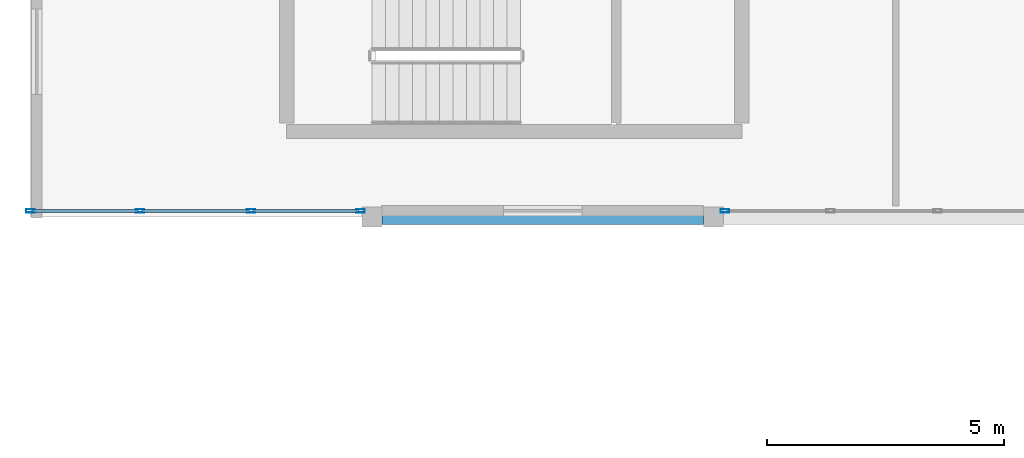
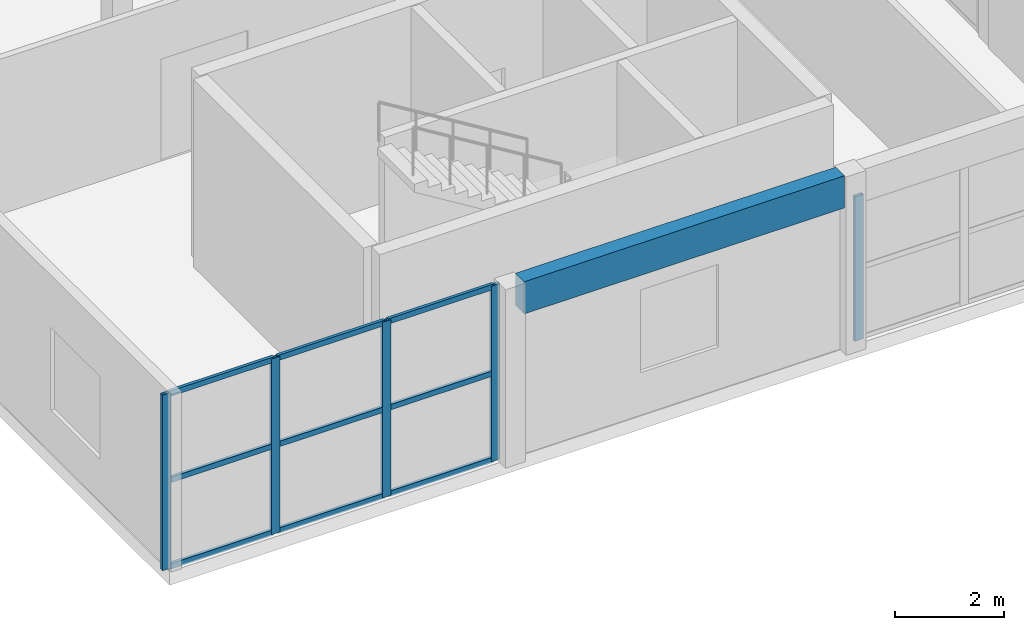
# One storey, part 6 of 68: 14 members, 1 beam, 2 elements without a shape of their own.
"""IFC4 building model written with IfcOpenShell, lengths in metres."""

from ifc_helpers import new_model, si_unit, direction, frame, origin, origin_2d, place, context, subcontext, project, spatial, rectangle, hollow_rectangle, extrude, material, material_profile, profile_set, type_object, element, aggregate, save


model = new_model("IFC4")

# Units and contexts
model_context = context("Model", 3, precision=1e-05, world=origin(), true_north=direction((0.0, 1.0)))
body_context = subcontext(model_context, "Body", "Model", "MODEL_VIEW")
ifc_project = project(units=[si_unit("LENGTHUNIT", "METRE"), si_unit("AREAUNIT", "SQUARE_METRE"), si_unit("VOLUMEUNIT", "CUBIC_METRE"), si_unit("PLANEANGLEUNIT", "RADIAN"), si_unit("MASSUNIT", "GRAM", prefix="KILO")], contexts=[model_context])

# Site, building, storey
site_placement = place(None, origin())
site = spatial("IfcSite", under=ifc_project, at=site_placement, CompositionType="ELEMENT")
building_placement = place(site_placement, origin())
building = spatial("IfcBuilding", under=site, at=building_placement, Name="Bramvelor Terrace Health Centre", CompositionType="ELEMENT")
storey_placement = place(building_placement, frame((0.0, 0.0, 9.300048828125)))
storey = spatial("IfcBuildingStorey", under=building, at=storey_placement, Name="L03", CompositionType="ELEMENT", Elevation=9.300048828125)

# Beam
ifc_material_1 = material(Name="Glulam GL28h", Category="wood")
ifc_material_profile_1 = material_profile(ifc_material_1, rectangle(XDim=0.320068359375, YDim=0.719970703125, at=origin_2d()), Name="GL 320x720")
ifc_profile_set_1 = profile_set([ifc_material_profile_1], Name="Glulam GL28h")
beam_type = type_object("IfcBeamType", Name="BM-GL-G720", PredefinedType="BEAM", material=ifc_profile_set_1)
beam_placement = place(storey_placement, frame((7.409912109375, 28.800048828125, 3.6298828125), z_axis=(1.0, 0.0, 0.0), x_axis=(0.0, 1.0, 0.0)))
element("IfcBeam", 1, at=beam_placement, inside=storey, type_object=beam_type, Name="L03 Floor Girder", PredefinedType="BEAM", context=body_context, shape_type="SweptSolid", body=[
    extrude(rectangle(XDim=0.320068359375, YDim=0.719970703125, at=origin_2d()), origin(), (0.0, 0.0, 1.0), 6.780029296875),
])

# Curtain wall, member
ifc_material_2 = material(Name="Anodized aluminium and double low-E glass", Category="aluminium")
curtain_wall_type_1 = type_object("IfcCurtainWallType", Name="CW-SYS-27", PredefinedType="NOTDEFINED", material=ifc_material_2)
curtain_wall_1_placement = place(storey_placement, origin())
curtain_wall_1 = element("IfcCurtainWall", 2, at=curtain_wall_1_placement, inside=storey, type_object=curtain_wall_type_1, Name="L03 Unitized Curtain Wall 156", PredefinedType="NOTDEFINED")
ifc_material_3 = material(Name="Anodized aluminium 6063-T6", Category="aluminium")
ifc_material_profile_2 = material_profile(ifc_material_3, hollow_rectangle(XDim=0.074951171875, YDim=0.179931640625, WallThickness=0.00341796875, at=origin_2d()), Name="ALU-MUL 75x180x3.5")
ifc_profile_set_2 = profile_set([ifc_material_profile_2], Name="Anodized aluminium 6063-T6")
member_type_1 = type_object("IfcMemberType", Name="CW-MUL-65x180", PredefinedType="MULLION", material=ifc_profile_set_2)
member_1_placement = place(storey_placement, frame((14.642578125, 28.929931640625, 0.0), z_axis=(0.0, 0.0, 1.0), x_axis=(0.0, -1.0, 0.0)))
member_1 = element("IfcMember", 3, at=member_1_placement, type_object=member_type_1, Name="CW-27 mullion 4", PredefinedType="MULLION", context=body_context, shape_type="SweptSolid", body=[
    extrude(hollow_rectangle(XDim=0.074951171875, YDim=0.179931640625, WallThickness=0.00341796875, at=origin_2d()), origin(), (0.0, 0.0, 1.0), 3.22998046875),
])
aggregate(curtain_wall_1, [member_1])

# Curtain wall, members
ifc_material_4 = material(Name="Anodized aluminium and double low-E glass", Category="aluminium")
curtain_wall_type_2 = type_object("IfcCurtainWallType", Name="CW-SYS-28", PredefinedType="NOTDEFINED", material=ifc_material_4)
curtain_wall_2_placement = place(storey_placement, origin())
curtain_wall_2 = element("IfcCurtainWall", 4, at=curtain_wall_2_placement, inside=storey, type_object=curtain_wall_type_2, Name="L03 Unitized Curtain Wall 157", PredefinedType="NOTDEFINED")
member_2_placement = place(storey_placement, frame((6.95751953125, 28.929931640625, 0.0), z_axis=(0.0, 0.0, 1.0), x_axis=(0.0, -1.0, 0.0)))
member_2 = element("IfcMember", 5, at=member_2_placement, type_object=member_type_1, Name="CW-28 mullion 1", PredefinedType="MULLION", context=body_context, shape_type="SweptSolid", body=[
    extrude(hollow_rectangle(XDim=0.074951171875, YDim=0.179931640625, WallThickness=0.00341796875, at=origin_2d()), origin(), (0.0, 0.0, 1.0), 3.929931640625),
])
member_3_placement = place(storey_placement, frame((4.64990234375, 28.929931640625, 0.0), z_axis=(0.0, 0.0, 1.0), x_axis=(0.0, -1.0, 0.0)))
member_3 = element("IfcMember", 6, at=member_3_placement, type_object=member_type_1, Name="CW-28 mullion 2", PredefinedType="MULLION", context=body_context, shape_type="SweptSolid", body=[
    extrude(hollow_rectangle(XDim=0.074951171875, YDim=0.179931640625, WallThickness=0.00341796875, at=origin_2d()), origin(), (0.0, 0.0, 1.0), 3.929931640625),
])
member_4_placement = place(storey_placement, frame((2.304931640625, 28.929931640625, 0.0), z_axis=(0.0, 0.0, 1.0), x_axis=(0.0, -1.0, 0.0)))
member_4 = element("IfcMember", 7, at=member_4_placement, type_object=member_type_1, Name="CW-28 mullion 3", PredefinedType="MULLION", context=body_context, shape_type="SweptSolid", body=[
    extrude(hollow_rectangle(XDim=0.074951171875, YDim=0.179931640625, WallThickness=0.00341796875, at=origin_2d()), origin(), (0.0, 0.0, 1.0), 3.929931640625),
])
member_5_placement = place(storey_placement, frame((-0.00244140625, 28.929931640625, 0.0), z_axis=(0.0, 0.0, 1.0), x_axis=(0.0, -1.0, 0.0)))
member_5 = element("IfcMember", 8, at=member_5_placement, type_object=member_type_1, Name="CW-28 mullion 4", PredefinedType="MULLION", context=body_context, shape_type="SweptSolid", body=[
    extrude(hollow_rectangle(XDim=0.074951171875, YDim=0.179931640625, WallThickness=0.00341796875, at=origin_2d()), origin(), (0.0, 0.0, 1.0), 3.929931640625),
])
ifc_material_5 = material(Name="Anodized aluminium 6063-T6", Category="aluminium")
ifc_material_profile_3 = material_profile(ifc_material_5, hollow_rectangle(XDim=0.06494140625, YDim=0.1201171875, WallThickness=0.0029296875, at=origin_2d()), Name="ALU-TRN 65x120x3.0")
ifc_profile_set_3 = profile_set([ifc_material_profile_3], Name="Anodized aluminium 6063-T6")
member_type_2 = type_object("IfcMemberType", Name="CW-TRN-65x150", PredefinedType="USERDEFINED", material=ifc_profile_set_3)
member_6_placement = place(storey_placement, frame((6.919921875, 28.929931640625, 0.032470703125), z_axis=(-1.0, 0.0, 0.0), x_axis=(0.0, -1.0, 0.0)))
member_6 = element("IfcMember", 9, at=member_6_placement, type_object=member_type_2, Name="CW-28 transom 1.1", ObjectType="TRANSOM", PredefinedType="USERDEFINED", context=body_context, shape_type="SweptSolid", body=[
    extrude(hollow_rectangle(XDim=0.06494140625, YDim=0.1201171875, WallThickness=0.0029296875, at=origin_2d()), origin(), (0.0, 0.0, 1.0), 2.232421875),
])
member_7_placement = place(storey_placement, frame((6.919921875, 28.929931640625, 1.96484375), z_axis=(-1.0, 0.0, 0.0), x_axis=(0.0, -1.0, 0.0)))
member_7 = element("IfcMember", 10, at=member_7_placement, type_object=member_type_2, Name="CW-28 transom 1.2", ObjectType="TRANSOM", PredefinedType="USERDEFINED", context=body_context, shape_type="SweptSolid", body=[
    extrude(hollow_rectangle(XDim=0.06494140625, YDim=0.1201171875, WallThickness=0.0029296875, at=origin_2d()), origin(), (0.0, 0.0, 1.0), 2.232421875),
])
member_8_placement = place(storey_placement, frame((6.919921875, 28.929931640625, 3.8974609375), z_axis=(-1.0, 0.0, 0.0), x_axis=(0.0, -1.0, 0.0)))
member_8 = element("IfcMember", 11, at=member_8_placement, type_object=member_type_2, Name="CW-28 transom 1.3", ObjectType="TRANSOM", PredefinedType="USERDEFINED", context=body_context, shape_type="SweptSolid", body=[
    extrude(hollow_rectangle(XDim=0.06494140625, YDim=0.1201171875, WallThickness=0.0029296875, at=origin_2d()), origin(), (0.0, 0.0, 1.0), 2.232421875),
])
member_9_placement = place(storey_placement, frame((4.612548828125, 28.929931640625, 0.032470703125), z_axis=(-1.0, 0.0, 0.0), x_axis=(0.0, -1.0, 0.0)))
member_9 = element("IfcMember", 12, at=member_9_placement, type_object=member_type_2, Name="CW-28 transom 2.1", ObjectType="TRANSOM", PredefinedType="USERDEFINED", context=body_context, shape_type="SweptSolid", body=[
    extrude(hollow_rectangle(XDim=0.06494140625, YDim=0.1201171875, WallThickness=0.0029296875, at=origin_2d()), origin(), (0.0, 0.0, 1.0), 2.27001953125),
])
member_10_placement = place(storey_placement, frame((4.612548828125, 28.929931640625, 1.96484375), z_axis=(-1.0, 0.0, 0.0), x_axis=(0.0, -1.0, 0.0)))
member_10 = element("IfcMember", 13, at=member_10_placement, type_object=member_type_2, Name="CW-28 transom 2.2", ObjectType="TRANSOM", PredefinedType="USERDEFINED", context=body_context, shape_type="SweptSolid", body=[
    extrude(hollow_rectangle(XDim=0.06494140625, YDim=0.1201171875, WallThickness=0.0029296875, at=origin_2d()), origin(), (0.0, 0.0, 1.0), 2.27001953125),
])
member_11_placement = place(storey_placement, frame((4.612548828125, 28.929931640625, 3.8974609375), z_axis=(-1.0, 0.0, 0.0), x_axis=(0.0, -1.0, 0.0)))
member_11 = element("IfcMember", 14, at=member_11_placement, type_object=member_type_2, Name="CW-28 transom 2.3", ObjectType="TRANSOM", PredefinedType="USERDEFINED", context=body_context, shape_type="SweptSolid", body=[
    extrude(hollow_rectangle(XDim=0.06494140625, YDim=0.1201171875, WallThickness=0.0029296875, at=origin_2d()), origin(), (0.0, 0.0, 1.0), 2.27001953125),
])
member_12_placement = place(storey_placement, frame((2.267578125, 28.929931640625, 0.032470703125), z_axis=(-1.0, 0.0, 0.0), x_axis=(0.0, -1.0, 0.0)))
member_12 = element("IfcMember", 15, at=member_12_placement, type_object=member_type_2, Name="CW-28 transom 3.1", ObjectType="TRANSOM", PredefinedType="USERDEFINED", context=body_context, shape_type="SweptSolid", body=[
    extrude(hollow_rectangle(XDim=0.06494140625, YDim=0.1201171875, WallThickness=0.0029296875, at=origin_2d()), origin(), (0.0, 0.0, 1.0), 2.232666015625),
])
member_13_placement = place(storey_placement, frame((2.267578125, 28.929931640625, 1.96484375), z_axis=(-1.0, 0.0, 0.0), x_axis=(0.0, -1.0, 0.0)))
member_13 = element("IfcMember", 16, at=member_13_placement, type_object=member_type_2, Name="CW-28 transom 3.2", ObjectType="TRANSOM", PredefinedType="USERDEFINED", context=body_context, shape_type="SweptSolid", body=[
    extrude(hollow_rectangle(XDim=0.06494140625, YDim=0.1201171875, WallThickness=0.0029296875, at=origin_2d()), origin(), (0.0, 0.0, 1.0), 2.232666015625),
])
member_14_placement = place(storey_placement, frame((2.267578125, 28.929931640625, 3.8974609375), z_axis=(-1.0, 0.0, 0.0), x_axis=(0.0, -1.0, 0.0)))
member_14 = element("IfcMember", 17, at=member_14_placement, type_object=member_type_2, Name="CW-28 transom 3.3", ObjectType="TRANSOM", PredefinedType="USERDEFINED", context=body_context, shape_type="SweptSolid", body=[
    extrude(hollow_rectangle(XDim=0.06494140625, YDim=0.1201171875, WallThickness=0.0029296875, at=origin_2d()), origin(), (0.0, 0.0, 1.0), 2.232666015625),
])
aggregate(curtain_wall_2, [member_2, member_3, member_4, member_5, member_6, member_7, member_8, member_9, member_10, member_11, member_12, member_13, member_14])

save(model, "model.ifc")
